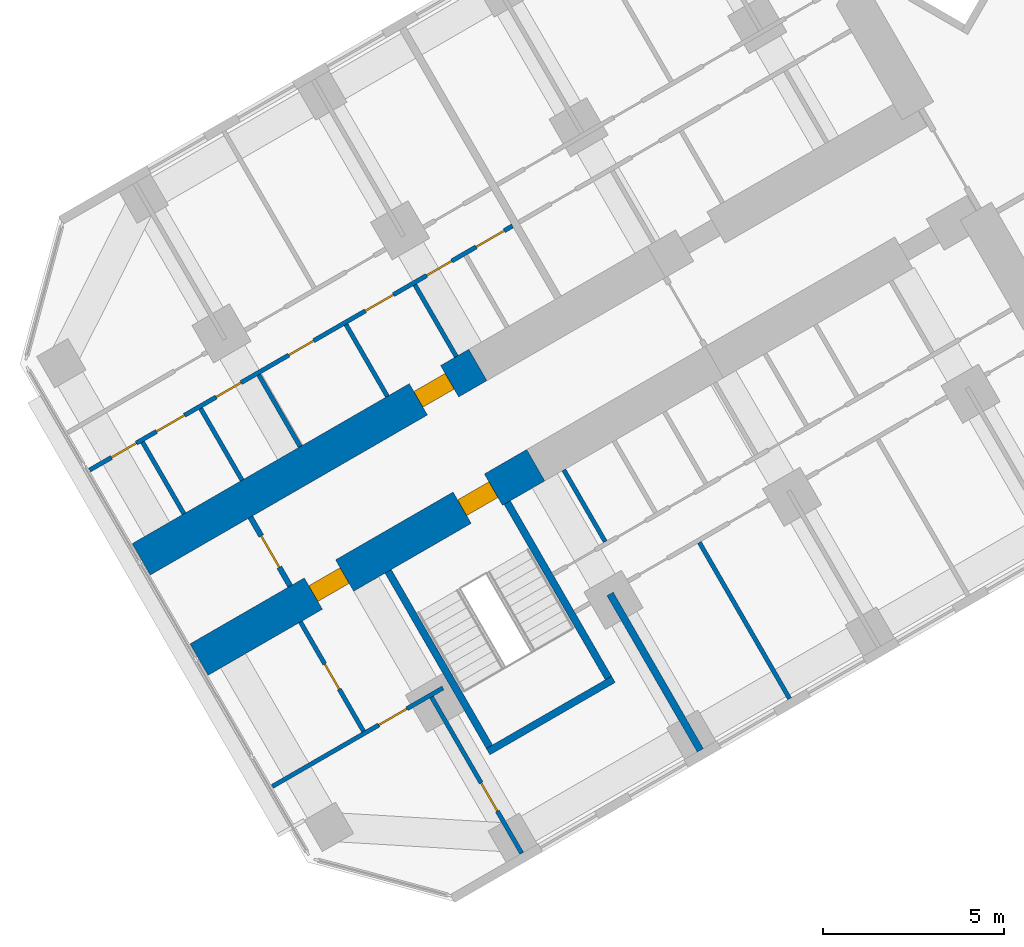
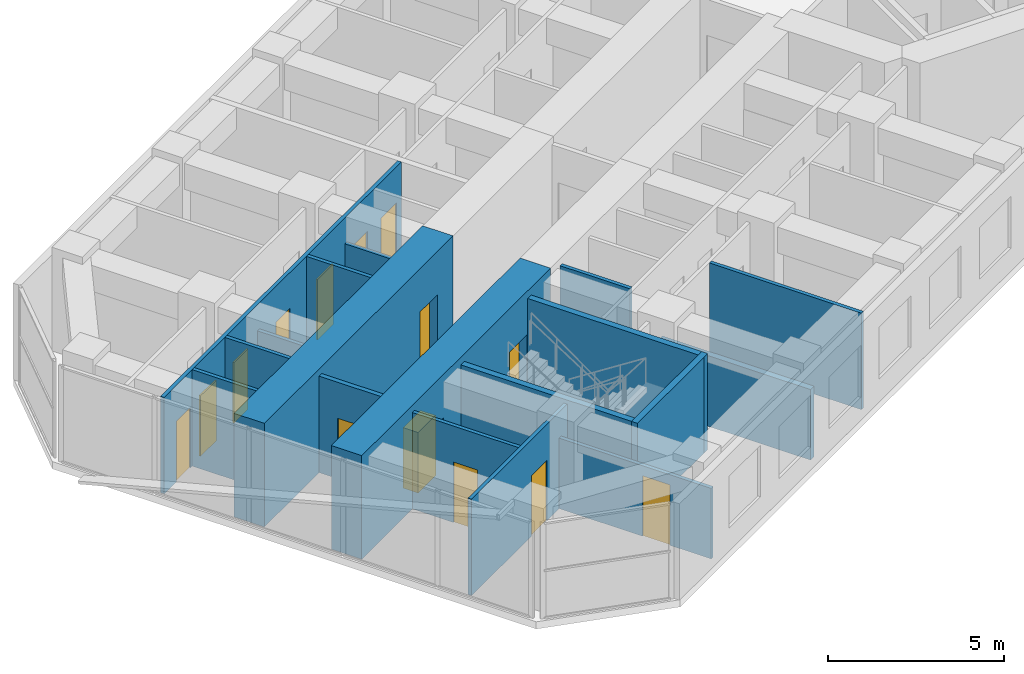
# One storey, part 10 of 21: 18 walls, 14 doors, 14 openings.
"""IFC4 building model written with IfcOpenShell, lengths in metres."""

from ifc_helpers import new_model, si_unit, direction, frame, frame_2d, origin, place, context, subcontext, project, spatial, rectangle, extrude, material, layer, layer_set, type_object, element, fill, save


model = new_model("IFC4")

# Units and contexts
model_context = context("Model", 3, precision=1e-05, world=origin(), true_north=direction((0.0, 1.0)))
body_context = subcontext(model_context, "Body", "Model", "MODEL_VIEW")
ifc_project = project(units=[si_unit("LENGTHUNIT", "METRE"), si_unit("AREAUNIT", "SQUARE_METRE"), si_unit("VOLUMEUNIT", "CUBIC_METRE"), si_unit("PLANEANGLEUNIT", "RADIAN"), si_unit("MASSUNIT", "GRAM", prefix="KILO")], contexts=[model_context])

# Site, building, storey
site_placement = place(None, origin())
site = spatial("IfcSite", under=ifc_project, at=site_placement, CompositionType="ELEMENT")
building_placement = place(site_placement, origin())
building = spatial("IfcBuilding", under=site, at=building_placement, Name="Kosmar Iwan School Tower", CompositionType="ELEMENT")
storey_placement = place(building_placement, frame((0.0, 0.0, 61.0)))
storey = spatial("IfcBuildingStorey", under=building, at=storey_placement, Name="L14", CompositionType="ELEMENT", Elevation=61.0)

# Wall, openings, doors
ifc_material_1 = material(Name="Concrete C50/60", Category="concrete")
ifc_layer_1 = layer(ifc_material_1, 1.0)
ifc_layer_set_1 = layer_set([ifc_layer_1], Name="Corridor buttress wall 1000")
wall_type_1 = type_object("IfcWallType", Name="Corridor buttress wall 1000", PredefinedType="SHEAR", material=ifc_layer_set_1)
wall_1_placement = place(storey_placement, frame((-19.681396484375, -13.210693359375, 0.0), z_axis=(0.0, 0.0, 1.0), x_axis=(-0.866028186671, -0.499995179869, 0.0)))
wall_1 = element("IfcWall", 1, at=wall_1_placement, inside=storey, type_object=wall_type_1, Name="Corridor wall BL bay 3", PredefinedType="SHEAR", context=body_context, shape_type="SweptSolid", body=[
    extrude(rectangle(XDim=10.7451171875, YDim=1.0, at=frame_2d((5.37255859375, 0.0))), origin(), (0.0, 0.0, 1.0), 3.60009765625),
])
opening_1_placement = place(wall_1_placement, frame((6.10009765625, 0.0, 0.0)))
opening_1 = element("IfcOpeningElement", 2, at=opening_1_placement, cuts=wall_1, Name="Opening D1", PredefinedType="OPENING", context=body_context, shape_type="SweptSolid", body=[
    extrude(rectangle(XDim=1.0, YDim=2.10009765625, at=frame_2d((0.5, 1.050048828125))), frame((0.0, 0.511962890625, 0.0), z_axis=(0.0, -1.0, 0.0), x_axis=(1.0, 0.0, 0.0)), (0.0, 0.0, 1.0), 1.02392578125),
])
opening_2_placement = place(wall_1_placement, frame((1.35009765625, 0.0, 0.0)))
opening_2 = element("IfcOpeningElement", 3, at=opening_2_placement, cuts=wall_1, Name="Opening D6", PredefinedType="OPENING", context=body_context, shape_type="SweptSolid", body=[
    extrude(rectangle(XDim=1.0, YDim=2.10009765625, at=frame_2d((0.5, 1.050048828125))), frame((0.0, 0.511962890625, 0.0), z_axis=(0.0, -1.0, 0.0), x_axis=(1.0, 0.0, 0.0)), (0.0, 0.0, 1.0), 1.02392578125),
])
ifc_material_2 = material(Name="Timber fire door in steel frame", Category="steel")
door_type_1 = type_object("IfcDoorType", Name="Flat entrance door 1000x2100", OperationType="SINGLE_SWING_LEFT", PredefinedType="DOOR", material=ifc_material_2)
door_1_placement = place(opening_1_placement, origin())
door_1 = element("IfcDoor", 4, at=door_1_placement, inside=storey, type_object=door_type_1, Name="Flat L14-BL2 entrance door", OperationType="SINGLE_SWING_RIGHT", OverallHeight=2.10009765625, OverallWidth=1.0, PredefinedType="DOOR", context=body_context, shape_type="SweptSolid", body=[
    extrude(rectangle(XDim=1.0, YDim=2.10009765625, at=frame_2d((0.5, 1.050048828125))), frame((0.0, 0.25, 0.0), z_axis=(0.0, -1.0, 0.0), x_axis=(1.0, 0.0, 0.0)), (0.0, 0.0, 1.0), 0.5),
])
fill(opening_1, door_1)
ifc_material_3 = material(Name="Steel fire door", Category="steel")
door_type_2 = type_object("IfcDoorType", Name="Stair door 1000x2100", OperationType="SINGLE_SWING_LEFT", PredefinedType="DOOR", material=ifc_material_3)
door_2_placement = place(opening_2_placement, origin())
door_2 = element("IfcDoor", 5, at=door_2_placement, inside=storey, type_object=door_type_2, Name="Stair WS2 door L14", OperationType="SINGLE_SWING_LEFT", OverallHeight=2.10009765625, OverallWidth=1.0, PredefinedType="DOOR", context=body_context, shape_type="SweptSolid", body=[
    extrude(rectangle(XDim=1.0, YDim=2.10009765625, at=frame_2d((0.5, 1.050048828125))), frame((0.0, 0.25, 0.0), z_axis=(0.0, -1.0, 0.0), x_axis=(1.0, 0.0, 0.0)), (0.0, 0.0, 1.0), 0.5),
])
fill(opening_2, door_2)

# Wall, opening, door
wall_2_placement = place(storey_placement, frame((-21.281494140625, -10.439453125, 0.0), z_axis=(0.0, 0.0, 1.0), x_axis=(-0.866032345022, -0.499987977232, 0.0)))
wall_2 = element("IfcWall", 6, at=wall_2_placement, inside=storey, type_object=wall_type_1, Name="Corridor wall BR bay 3", PredefinedType="SHEAR", context=body_context, shape_type="SweptSolid", body=[
    extrude(rectangle(XDim=10.744873046875, YDim=1.0, at=frame_2d((5.37255859375, 0.0))), origin(), (0.0, 0.0, 1.0), 3.60009765625),
])
opening_3_placement = place(wall_2_placement, frame((0.89990234375, 0.0, 0.0)))
opening_3 = element("IfcOpeningElement", 7, at=opening_3_placement, cuts=wall_2, Name="Opening D1", PredefinedType="OPENING", context=body_context, shape_type="SweptSolid", body=[
    extrude(rectangle(XDim=1.0, YDim=2.10009765625, at=frame_2d((0.5, 1.050048828125))), frame((0.0, 0.511962890625, 0.0), z_axis=(0.0, -1.0, 0.0), x_axis=(1.0, 0.0, 0.0)), (0.0, 0.0, 1.0), 1.02392578125),
])
door_3_placement = place(opening_3_placement, origin())
door_3 = element("IfcDoor", 8, at=door_3_placement, inside=storey, type_object=door_type_1, Name="Flat L14-BR2 entrance door", OperationType="SINGLE_SWING_LEFT", OverallHeight=2.10009765625, OverallWidth=1.0, PredefinedType="DOOR", context=body_context, shape_type="SweptSolid", body=[
    extrude(rectangle(XDim=1.0, YDim=2.10009765625, at=frame_2d((0.5, 1.050048828125))), frame((0.0, 0.25, 0.0), z_axis=(0.0, -1.0, 0.0), x_axis=(1.0, 0.0, 0.0)), (0.0, 0.0, 1.0), 0.5),
])
fill(opening_3, door_3)

ifc_material_4 = material(Name="Gypsum board on steel studs, fire-rated", Category="steel")
ifc_layer_2 = layer(ifc_material_4, 0.14990234375)
ifc_layer_set_2 = layer_set([ifc_layer_2], Name="Corridor end wall 150")
wall_type_2 = type_object("IfcWallType", Name="Corridor end wall 150", PredefinedType="PARTITIONING", material=ifc_layer_set_2)
wall_3_placement = place(storey_placement, frame((-27.570068359375, -14.6474609375, 0.0), z_axis=(0.0, 0.0, 1.0), x_axis=(0.50002983664, -0.866008176907, 0.0)))
wall_3 = element("IfcWall", 9, at=wall_3_placement, inside=storey, type_object=wall_type_2, Name="Partition L14-B-CE", PredefinedType="PARTITIONING", context=body_context, shape_type="SweptSolid", body=[
    extrude(rectangle(XDim=2.199951171875, YDim=0.14990234375, at=frame_2d((1.10009765625, 0.0))), origin(), (0.0, 0.0, 1.0), 3.35009765625),
])
opening_4_placement = place(wall_3_placement, frame((0.60009765625, 0.0, 0.0)))
opening_4 = element("IfcOpeningElement", 10, at=opening_4_placement, cuts=wall_3, Name="Opening D13", PredefinedType="OPENING", context=body_context, shape_type="SweptSolid", body=[
    extrude(rectangle(XDim=1.0, YDim=2.10009765625, at=frame_2d((0.5, 1.050048828125))), frame((0.0, 0.0869140625, 0.0), z_axis=(0.0, -1.0, 0.0), x_axis=(1.0, 0.0, 0.0)), (0.0, 0.0, 1.0), 0.173828125),
])
ifc_material_5 = material(Name="Timber fire door with vision panel", Category="wood")
door_type_3 = type_object("IfcDoorType", Name="Corridor end door 1000x2100", OperationType="SINGLE_SWING_LEFT", PredefinedType="DOOR", material=ifc_material_5)
door_4_placement = place(opening_4_placement, origin())
door_4 = element("IfcDoor", 11, at=door_4_placement, inside=storey, type_object=door_type_3, Name="Children's play room door L14-B", OperationType="SINGLE_SWING_LEFT", OverallHeight=2.10009765625, OverallWidth=1.0, PredefinedType="DOOR", context=body_context, shape_type="SweptSolid", body=[
    extrude(rectangle(XDim=1.0, YDim=2.10009765625, at=frame_2d((0.5, 1.050048828125))), frame((0.0, 0.02490234375, 0.0), z_axis=(0.0, -1.0, 0.0), x_axis=(1.0, 0.0, 0.0)), (0.0, 0.0, 1.0), 0.050048828125),
])
fill(opening_4, door_4)

# Walls
ifc_material_6 = material(Name="Gypsum board on steel studs", Category="steel")
ifc_layer_3 = layer(ifc_material_6, 0.1201171875)
ifc_layer_set_3 = layer_set([ifc_layer_3], Name="Dwelling partition 120")
wall_type_3 = type_object("IfcWallType", Name="Dwelling partition 120", PredefinedType="PARTITIONING", material=ifc_layer_set_3)
wall_4_placement = place(storey_placement, frame((-15.158447265625, -15.344970703125, 0.0), z_axis=(0.0, 0.0, 1.0), x_axis=(0.500011847778, -0.866018563358, 0.0)))
element("IfcWall", 12, at=wall_4_placement, inside=storey, type_object=wall_type_3, Name="Partition L14-BL1-X4", PredefinedType="PARTITIONING", context=body_context, shape_type="SweptSolid", body=[
    extrude(rectangle(XDim=4.990234375, YDim=0.1201171875, at=frame_2d((2.4951171875, 0.0))), origin(), (0.0, 0.0, 1.0), 3.35009765625),
])
wall_5_placement = place(storey_placement, frame((-18.906005859375, -13.34033203125, 0.0), z_axis=(0.0, 0.0, 1.0), x_axis=(0.500014693593, -0.866016920268, 0.0)))
element("IfcWall", 13, at=wall_5_placement, inside=storey, type_object=wall_type_3, Name="Partition L14-BL1-Y7", PredefinedType="PARTITIONING", context=body_context, shape_type="SweptSolid", body=[
    extrude(rectangle(XDim=2.2900390625, YDim=0.1201171875, at=frame_2d((1.14501953125, 0.0))), origin(), (0.0, 0.0, 1.0), 3.35009765625),
])

# Wall, opening, door
wall_6_placement = place(storey_placement, frame((-22.562744140625, -19.6201171875, 0.0), z_axis=(0.0, 0.0, 1.0), x_axis=(0.499996339024, -0.86602751744, 0.0)))
wall_6 = element("IfcWall", 14, at=wall_6_placement, inside=storey, type_object=wall_type_3, Name="Partition L14-BL2-TX", PredefinedType="PARTITIONING", context=body_context, shape_type="SweptSolid", body=[
    extrude(rectangle(XDim=4.98974609375, YDim=0.1201171875, at=frame_2d((2.494873046875, 0.0))), origin(), (0.0, 0.0, 1.0), 2.449951171875),
])
opening_5_placement = place(wall_6_placement, frame((2.739990234375, 0.0, 0.0)))
opening_5 = element("IfcOpeningElement", 15, at=opening_5_placement, cuts=wall_6, Name="Opening D2", PredefinedType="OPENING", context=body_context, shape_type="SweptSolid", body=[
    extrude(rectangle(XDim=0.89990234375, YDim=2.10009765625, at=frame_2d((0.449951171875, 1.050048828125))), frame((0.0, 0.072021484375, 0.0), z_axis=(0.0, -1.0, 0.0), x_axis=(1.0, 0.0, 0.0)), (0.0, 0.0, 1.0), 0.14404296875),
])
ifc_material_7 = material(Name="Timber door in timber frame", Category="wood")
door_type_4 = type_object("IfcDoorType", Name="Internal door 900x2100", OperationType="SINGLE_SWING_LEFT", PredefinedType="DOOR", material=ifc_material_7)
door_5_placement = place(opening_5_placement, origin())
door_5 = element("IfcDoor", 16, at=door_5_placement, inside=storey, type_object=door_type_4, Name="Bedroom 1 door L14-BL2-T1", OperationType="SINGLE_SWING_RIGHT", OverallHeight=2.10009765625, OverallWidth=0.89990234375, PredefinedType="DOOR", context=body_context, shape_type="SweptSolid", body=[
    extrude(rectangle(XDim=0.89990234375, YDim=2.10009765625, at=frame_2d((0.449951171875, 1.050048828125))), frame((0.0, 0.02490234375, 0.0), z_axis=(0.0, -1.0, 0.0), x_axis=(1.0, 0.0, 0.0)), (0.0, 0.0, 1.0), 0.050048828125),
])
fill(opening_5, door_5)

wall_7_placement = place(storey_placement, frame((-22.246337890625, -19.3681640625, 0.0), z_axis=(0.0, 0.0, 1.0), x_axis=(-0.866035508231, -0.499982498177, 0.0)))
wall_7 = element("IfcWall", 17, at=wall_7_placement, inside=storey, type_object=wall_type_3, Name="Partition L14-BL2-TW", PredefinedType="PARTITIONING", context=body_context, shape_type="SweptSolid", body=[
    extrude(rectangle(XDim=5.445068359375, YDim=0.1201171875, at=frame_2d((2.72265625, 0.0))), origin(), (0.0, 0.0, 1.0), 3.35009765625),
])
opening_6_placement = place(wall_7_placement, frame((1.14990234375, 0.0, 0.0)))
opening_6 = element("IfcOpeningElement", 18, at=opening_6_placement, cuts=wall_7, Name="Opening D2", PredefinedType="OPENING", context=body_context, shape_type="SweptSolid", body=[
    extrude(rectangle(XDim=0.89990234375, YDim=2.10009765625, at=frame_2d((0.449951171875, 1.050048828125))), frame((0.0, 0.072021484375, 0.0), z_axis=(0.0, -1.0, 0.0), x_axis=(1.0, 0.0, 0.0)), (0.0, 0.0, 1.0), 0.14404296875),
])
door_6_placement = place(opening_6_placement, origin())
door_6 = element("IfcDoor", 19, at=door_6_placement, inside=storey, type_object=door_type_4, Name="Entrance hall door L14-BL2-T3", OperationType="SINGLE_SWING_LEFT", OverallHeight=2.10009765625, OverallWidth=0.89990234375, PredefinedType="DOOR", context=body_context, shape_type="SweptSolid", body=[
    extrude(rectangle(XDim=0.89990234375, YDim=2.10009765625, at=frame_2d((0.449951171875, 1.050048828125))), frame((0.0, 0.02490234375, 0.0), z_axis=(0.0, -1.0, 0.0), x_axis=(1.0, 0.0, 0.0)), (0.0, 0.0, 1.0), 0.050048828125),
])
fill(opening_6, door_6)

wall_8_placement = place(storey_placement, frame((-26.1865234375, -17.543701171875, 0.0), z_axis=(0.0, 0.0, 1.0), x_axis=(0.50002117804, -0.866013176292, 0.0)))
wall_8 = element("IfcWall", 20, at=wall_8_placement, inside=storey, type_object=wall_type_3, Name="Partition L14-BL2-TY", PredefinedType="PARTITIONING", context=body_context, shape_type="SweptSolid", body=[
    extrude(rectangle(XDim=3.489990234375, YDim=0.1201171875, at=frame_2d((1.7451171875, 0.0))), origin(), (0.0, 0.0, 1.0), 3.35009765625),
])
opening_7_placement = place(wall_8_placement, frame((1.344970703125, 0.0, 0.0)))
opening_7 = element("IfcOpeningElement", 21, at=opening_7_placement, cuts=wall_8, Name="Opening D3", PredefinedType="OPENING", context=body_context, shape_type="SweptSolid", body=[
    extrude(rectangle(XDim=0.800048828125, YDim=2.10009765625, at=frame_2d((0.39990234375, 1.050048828125))), frame((0.0, 0.072021484375, 0.0), z_axis=(0.0, -1.0, 0.0), x_axis=(1.0, 0.0, 0.0)), (0.0, 0.0, 1.0), 0.14404296875),
])
ifc_material_8 = material(Name="Timber door in timber frame", Category="wood")
door_type_5 = type_object("IfcDoorType", Name="Sanitary room door 800x2100", OperationType="SINGLE_SWING_LEFT", PredefinedType="DOOR", material=ifc_material_8)
door_7_placement = place(opening_7_placement, origin())
door_7 = element("IfcDoor", 22, at=door_7_placement, inside=storey, type_object=door_type_5, Name="Bathroom door L14-BL2-T4", OperationType="SINGLE_SWING_LEFT", OverallHeight=2.10009765625, OverallWidth=0.800048828125, PredefinedType="DOOR", context=body_context, shape_type="SweptSolid", body=[
    extrude(rectangle(XDim=0.800048828125, YDim=2.10009765625, at=frame_2d((0.39990234375, 1.050048828125))), frame((0.0, 0.02490234375, 0.0), z_axis=(0.0, -1.0, 0.0), x_axis=(1.0, 0.0, 0.0)), (0.0, 0.0, 1.0), 0.050048828125),
])
fill(opening_7, door_7)

# Wall, openings, doors
wall_9_placement = place(storey_placement, frame((-20.324951171875, -6.59619140625, 0.0), z_axis=(0.0, 0.0, 1.0), x_axis=(-0.866023503214, -0.50000329187, 0.0)))
wall_9 = element("IfcWall", 23, at=wall_9_placement, inside=storey, type_object=wall_type_3, Name="Partition L14-BR2-W1", PredefinedType="PARTITIONING", context=body_context, shape_type="SweptSolid", body=[
    extrude(rectangle(XDim=13.4951171875, YDim=0.1201171875, at=frame_2d((6.74755859375, 0.0))), origin(), (0.0, 0.0, 1.0), 3.35009765625),
])
opening_8_placement = place(wall_9_placement, frame((0.262451171875, 0.0, 0.0)))
opening_8 = element("IfcOpeningElement", 24, at=opening_8_placement, cuts=wall_9, Name="Opening D2", PredefinedType="OPENING", context=body_context, shape_type="SweptSolid", body=[
    extrude(rectangle(XDim=0.89990234375, YDim=2.10009765625, at=frame_2d((0.449951171875, 1.050048828125))), frame((0.0, 0.072021484375, 0.0), z_axis=(0.0, -1.0, 0.0), x_axis=(1.0, 0.0, 0.0)), (0.0, 0.0, 1.0), 0.14404296875),
])
opening_9_placement = place(wall_9_placement, frame((1.9375, 0.0, 0.0)))
opening_9 = element("IfcOpeningElement", 25, at=opening_9_placement, cuts=wall_9, Name="Opening D3", PredefinedType="OPENING", context=body_context, shape_type="SweptSolid", body=[
    extrude(rectangle(XDim=0.800048828125, YDim=2.10009765625, at=frame_2d((0.39990234375, 1.050048828125))), frame((0.0, 0.072021484375, 0.0), z_axis=(0.0, -1.0, 0.0), x_axis=(1.0, 0.0, 0.0)), (0.0, 0.0, 1.0), 0.14404296875),
])
opening_10_placement = place(wall_9_placement, frame((3.800048828125, 0.0, 0.0)))
opening_10 = element("IfcOpeningElement", 26, at=opening_10_placement, cuts=wall_9, Name="Opening D2", PredefinedType="OPENING", context=body_context, shape_type="SweptSolid", body=[
    extrude(rectangle(XDim=0.89990234375, YDim=2.10009765625, at=frame_2d((0.449951171875, 1.050048828125))), frame((0.0, 0.072021484375, 0.0), z_axis=(0.0, -1.0, 0.0), x_axis=(1.0, 0.0, 0.0)), (0.0, 0.0, 1.0), 0.14404296875),
])
opening_11_placement = place(wall_9_placement, frame((6.341796875, 0.0, 0.0)))
opening_11 = element("IfcOpeningElement", 27, at=opening_11_placement, cuts=wall_9, Name="Opening D3", PredefinedType="OPENING", context=body_context, shape_type="SweptSolid", body=[
    extrude(rectangle(XDim=0.800048828125, YDim=2.10009765625, at=frame_2d((0.39990234375, 1.050048828125))), frame((0.0, 0.072021484375, 0.0), z_axis=(0.0, -1.0, 0.0), x_axis=(1.0, 0.0, 0.0)), (0.0, 0.0, 1.0), 0.14404296875),
])
opening_12_placement = place(wall_9_placement, frame((8.6611328125, 0.0, 0.0)))
opening_12 = element("IfcOpeningElement", 28, at=opening_12_placement, cuts=wall_9, Name="Opening D3", PredefinedType="OPENING", context=body_context, shape_type="SweptSolid", body=[
    extrude(rectangle(XDim=0.800048828125, YDim=2.10009765625, at=frame_2d((0.39990234375, 1.050048828125))), frame((0.0, 0.072021484375, 0.0), z_axis=(0.0, -1.0, 0.0), x_axis=(1.0, 0.0, 0.0)), (0.0, 0.0, 1.0), 0.14404296875),
])
opening_13_placement = place(wall_9_placement, frame((10.466796875, 0.0, 0.0)))
opening_13 = element("IfcOpeningElement", 29, at=opening_13_placement, cuts=wall_9, Name="Opening D2", PredefinedType="OPENING", context=body_context, shape_type="SweptSolid", body=[
    extrude(rectangle(XDim=0.89990234375, YDim=2.10009765625, at=frame_2d((0.449951171875, 1.050048828125))), frame((0.0, 0.072021484375, 0.0), z_axis=(0.0, -1.0, 0.0), x_axis=(1.0, 0.0, 0.0)), (0.0, 0.0, 1.0), 0.14404296875),
])
opening_14_placement = place(wall_9_placement, frame((12.00439453125, 0.0, 0.0)))
opening_14 = element("IfcOpeningElement", 30, at=opening_14_placement, cuts=wall_9, Name="Opening D3", PredefinedType="OPENING", context=body_context, shape_type="SweptSolid", body=[
    extrude(rectangle(XDim=0.800048828125, YDim=2.10009765625, at=frame_2d((0.39990234375, 1.050048828125))), frame((0.0, 0.072021484375, 0.0), z_axis=(0.0, -1.0, 0.0), x_axis=(1.0, 0.0, 0.0)), (0.0, 0.0, 1.0), 0.14404296875),
])
door_8_placement = place(opening_8_placement, origin())
door_8 = element("IfcDoor", 31, at=door_8_placement, inside=storey, type_object=door_type_4, Name="Utility room door L14-BR2-S1", OperationType="SINGLE_SWING_RIGHT", OverallHeight=2.10009765625, OverallWidth=0.89990234375, PredefinedType="DOOR", context=body_context, shape_type="SweptSolid", body=[
    extrude(rectangle(XDim=0.89990234375, YDim=2.10009765625, at=frame_2d((0.449951171875, 1.050048828125))), frame((0.0, 0.02490234375, 0.0), z_axis=(0.0, -1.0, 0.0), x_axis=(1.0, 0.0, 0.0)), (0.0, 0.0, 1.0), 0.050048828125),
])
fill(opening_8, door_8)
door_9_placement = place(opening_10_placement, origin())
door_9 = element("IfcDoor", 32, at=door_9_placement, inside=storey, type_object=door_type_4, Name="Entrance hall door L14-BR2-S3", OperationType="SINGLE_SWING_RIGHT", OverallHeight=2.10009765625, OverallWidth=0.89990234375, PredefinedType="DOOR", context=body_context, shape_type="SweptSolid", body=[
    extrude(rectangle(XDim=0.89990234375, YDim=2.10009765625, at=frame_2d((0.449951171875, 1.050048828125))), frame((0.0, 0.02490234375, 0.0), z_axis=(0.0, -1.0, 0.0), x_axis=(1.0, 0.0, 0.0)), (0.0, 0.0, 1.0), 0.050048828125),
])
fill(opening_10, door_9)
door_10_placement = place(opening_13_placement, origin())
door_10 = element("IfcDoor", 33, at=door_10_placement, inside=storey, type_object=door_type_4, Name="Pantry door L14-BR2-S6", OperationType="SINGLE_SWING_LEFT", OverallHeight=2.10009765625, OverallWidth=0.89990234375, PredefinedType="DOOR", context=body_context, shape_type="SweptSolid", body=[
    extrude(rectangle(XDim=0.89990234375, YDim=2.10009765625, at=frame_2d((0.449951171875, 1.050048828125))), frame((0.0, 0.02490234375, 0.0), z_axis=(0.0, -1.0, 0.0), x_axis=(1.0, 0.0, 0.0)), (0.0, 0.0, 1.0), 0.050048828125),
])
fill(opening_13, door_10)
door_11_placement = place(opening_9_placement, origin())
door_11 = element("IfcDoor", 34, at=door_11_placement, inside=storey, type_object=door_type_5, Name="WC door L14-BR2-S2", OperationType="SINGLE_SWING_LEFT", OverallHeight=2.10009765625, OverallWidth=0.800048828125, PredefinedType="DOOR", context=body_context, shape_type="SweptSolid", body=[
    extrude(rectangle(XDim=0.800048828125, YDim=2.10009765625, at=frame_2d((0.39990234375, 1.050048828125))), frame((0.0, 0.02490234375, 0.0), z_axis=(0.0, -1.0, 0.0), x_axis=(1.0, 0.0, 0.0)), (0.0, 0.0, 1.0), 0.050048828125),
])
fill(opening_9, door_11)
door_12_placement = place(opening_11_placement, origin())
door_12 = element("IfcDoor", 35, at=door_12_placement, inside=storey, type_object=door_type_5, Name="Bathroom door L14-BR2-S4", OperationType="SINGLE_SWING_LEFT", OverallHeight=2.10009765625, OverallWidth=0.800048828125, PredefinedType="DOOR", context=body_context, shape_type="SweptSolid", body=[
    extrude(rectangle(XDim=0.800048828125, YDim=2.10009765625, at=frame_2d((0.39990234375, 1.050048828125))), frame((0.0, 0.02490234375, 0.0), z_axis=(0.0, -1.0, 0.0), x_axis=(1.0, 0.0, 0.0)), (0.0, 0.0, 1.0), 0.050048828125),
])
fill(opening_11, door_12)
door_13_placement = place(opening_12_placement, origin())
door_13 = element("IfcDoor", 36, at=door_13_placement, inside=storey, type_object=door_type_5, Name="Shower room door L14-BR2-S5", OperationType="SINGLE_SWING_RIGHT", OverallHeight=2.10009765625, OverallWidth=0.800048828125, PredefinedType="DOOR", context=body_context, shape_type="SweptSolid", body=[
    extrude(rectangle(XDim=0.800048828125, YDim=2.10009765625, at=frame_2d((0.39990234375, 1.050048828125))), frame((0.0, 0.02490234375, 0.0), z_axis=(0.0, -1.0, 0.0), x_axis=(1.0, 0.0, 0.0)), (0.0, 0.0, 1.0), 0.050048828125),
])
fill(opening_12, door_13)
door_14_placement = place(opening_14_placement, origin())
door_14 = element("IfcDoor", 37, at=door_14_placement, inside=storey, type_object=door_type_5, Name="Store door L14-BR2-S7", OperationType="SINGLE_SWING_LEFT", OverallHeight=2.10009765625, OverallWidth=0.800048828125, PredefinedType="DOOR", context=body_context, shape_type="SweptSolid", body=[
    extrude(rectangle(XDim=0.800048828125, YDim=2.10009765625, at=frame_2d((0.39990234375, 1.050048828125))), frame((0.0, 0.02490234375, 0.0), z_axis=(0.0, -1.0, 0.0), x_axis=(1.0, 0.0, 0.0)), (0.0, 0.0, 1.0), 0.050048828125),
])
fill(opening_14, door_14)

# Walls
wall_10_placement = place(storey_placement, frame((-21.8779296875, -10.206298828125, 0.0), z_axis=(0.0, 0.0, 1.0), x_axis=(-0.500014693593, 0.866016920268, 0.0)))
element("IfcWall", 38, at=wall_10_placement, inside=storey, type_object=wall_type_3, Name="Partition L14-BR2-Y2", PredefinedType="PARTITIONING", context=body_context, shape_type="SweptSolid", body=[
    extrude(rectangle(XDim=2.2900390625, YDim=0.1201171875, at=frame_2d((1.14501953125, 0.0))), origin(), (0.0, 0.0, 1.0), 2.449951171875),
])
wall_11_placement = place(storey_placement, frame((-23.783203125, -11.306396484375, 0.0), z_axis=(0.0, 0.0, 1.0), x_axis=(-0.500014693593, 0.866016920268, 0.0)))
element("IfcWall", 39, at=wall_11_placement, inside=storey, type_object=wall_type_3, Name="Partition L14-BR2-Y3", PredefinedType="PARTITIONING", context=body_context, shape_type="SweptSolid", body=[
    extrude(rectangle(XDim=2.2900390625, YDim=0.1201171875, at=frame_2d((1.14501953125, 0.0))), origin(), (0.0, 0.0, 1.0), 3.35009765625),
])
wall_12_placement = place(storey_placement, frame((-26.193603515625, -12.697998046875, 0.0), z_axis=(0.0, 0.0, 1.0), x_axis=(-0.500014693593, 0.866016920268, 0.0)))
element("IfcWall", 40, at=wall_12_placement, inside=storey, type_object=wall_type_3, Name="Partition L14-BR2-Y4", PredefinedType="PARTITIONING", context=body_context, shape_type="SweptSolid", body=[
    extrude(rectangle(XDim=2.2900390625, YDim=0.1201171875, at=frame_2d((1.14501953125, 0.0))), origin(), (0.0, 0.0, 1.0), 2.449951171875),
])
for number, where, z_axis, x_axis, name in (
    (41, (-27.800537109375, -13.625732421875, 0.0), (0.0, 0.0, 1.0), (-0.500014693593, 0.866016920268, 0.0), "Partition L14-BR2-Y5"),
    (42, (-29.407470703125, -14.553466796875, 0.0), (0.0, 0.0, 1.0), (-0.500014693593, 0.866016920268, 0.0), "Partition L14-BR2-Y6"),
):
    element("IfcWall", number, at=place(storey_placement, frame(where, z_axis=z_axis, x_axis=x_axis)), inside=storey, type_object=wall_type_3, Name=name, PredefinedType="PARTITIONING", context=body_context, shape_type="SweptSolid", body=[
        extrude(rectangle(XDim=2.2900390625, YDim=0.1201171875, at=frame_2d((1.14501953125, 0.0))), origin(), (0.0, 0.0, 1.0), 3.35009765625),
    ])
ifc_material_9 = material(Name="Concrete C35/45", Category="concrete")
ifc_layer_4 = layer(ifc_material_9, 0.199951171875)
ifc_layer_set_4 = layer_set([ifc_layer_4], Name="Escape stair wall 200")
wall_type_4 = type_object("IfcWallType", Name="Escape stair wall 200", PredefinedType="SHEAR", material=ifc_layer_set_4)
for number, where, z_axis, x_axis, name in (
    (43, (-20.470703125, -14.24365234375, 0.0), (0.0, 0.0, 1.0), (0.499987231761, -0.866032775405, 0.0), "Stair WS2 wall"),
    (44, (-23.76171875, -16.1435546875, 0.0), (0.0, 0.0, 1.0), (0.500018801468, -0.86601454848, 0.0), "Stair WS2 wall"),
):
    element("IfcWall", number, at=place(storey_placement, frame(where, z_axis=z_axis, x_axis=x_axis)), inside=storey, type_object=wall_type_4, Name=name, PredefinedType="SHEAR", context=body_context, shape_type="SweptSolid", body=[
        extrude(rectangle(XDim=5.800048828125, YDim=0.199951171875, at=frame_2d((2.89990234375, 0.0))), origin(), (0.0, 0.0, 1.0), 3.330078125),
    ])
wall_13_placement = place(storey_placement, frame((-17.5341796875, -19.1298828125, 0.0), z_axis=(0.0, 0.0, 1.0), x_axis=(-0.866026010844, -0.49999894854, 0.0)))
element("IfcWall", 45, at=wall_13_placement, inside=storey, type_object=wall_type_4, Name="Stair WS2 wall", PredefinedType="SHEAR", context=body_context, shape_type="SweptSolid", body=[
    extrude(rectangle(XDim=4.0, YDim=0.199951171875, at=frame_2d((2.0, 0.0))), origin(), (0.0, 0.0, 1.0), 3.330078125),
])
ifc_material_10 = material(Name="Concrete block masonry", Category="masonry")
ifc_layer_5 = layer(ifc_material_10, 0.199951171875)
ifc_layer_set_5 = layer_set([ifc_layer_5], Name="Party wall 200")
wall_type_5 = type_object("IfcWallType", Name="Party wall 200", PredefinedType="PARTITIONING", material=ifc_layer_set_5)
wall_14_placement = place(storey_placement, frame((-17.62646484375, -16.77001953125, 0.0), z_axis=(0.0, 0.0, 1.0), x_axis=(0.499975153383, -0.86603974851, 0.0)))
element("IfcWall", 46, at=wall_14_placement, inside=storey, type_object=wall_type_5, Name="Partition L14-BL2-TB", PredefinedType="PARTITIONING", context=body_context, shape_type="SweptSolid", body=[
    extrude(rectangle(XDim=4.989990234375, YDim=0.199951171875, at=frame_2d((2.4951171875, 0.0))), origin(), (0.0, 0.0, 1.0), 2.449951171875),
])

save(model, "model.ifc")
